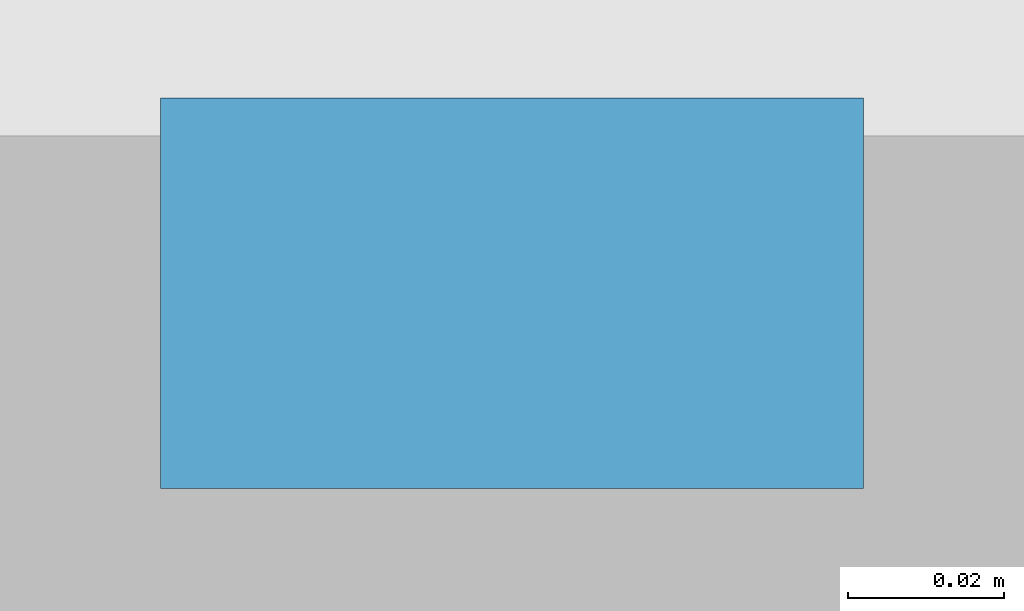
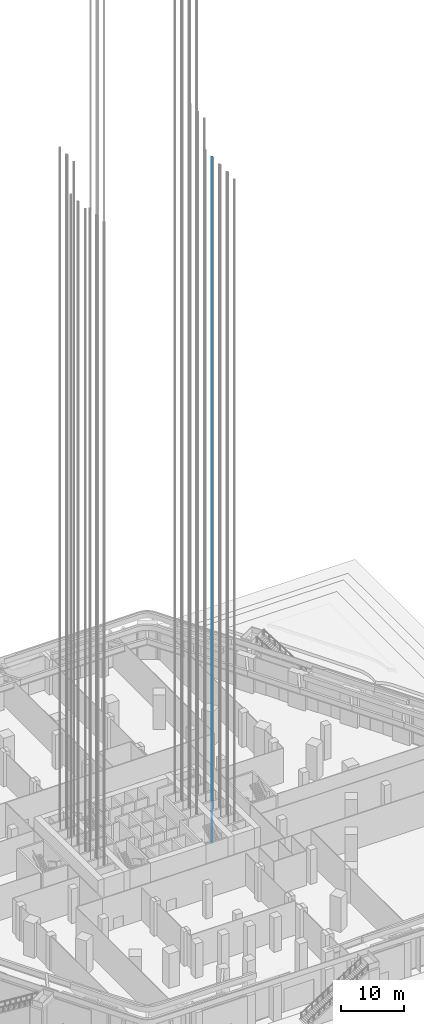
# One storey, part 52 of 68: 1 discrete accessory.
"""IFC4 building model written with IfcOpenShell, lengths in metres."""

import ifcopenshell
import ifcopenshell.guid

model = None  # the IFC model being written
_history = None  # IfcOwnerHistory: only IFC2X3 demands one
_inside = {}  # id of a spatial element -> (the spatial element, [elements in it])
_under = {}  # id of a project, library or spatial element -> (it, [spatial elements below it])
_declared = {}  # id of a project -> (the project, [libraries it declares])
_typed = {}  # id of a type object -> (the type object, [elements of that type])
_made_of = {}  # id of a material, layer set ... -> (it, [elements and type objects made of it])


def new_model(schema):
    """Start an empty IFC model of exactly this schema.

    Asked for "IFC4X3", IfcOpenShell would pick the latest addendum, in which some entities
    have other attributes; the version numbers below select the first issue.
    IFC2X3 requires an IfcOwnerHistory on every rooted entity: one is made here for all.
    """
    global model, _history
    if schema == "IFC4X3":
        model = ifcopenshell.file(schema_version=(4, 3, 0, 0))
    else:
        model = ifcopenshell.file(schema=schema)
    _inside.clear()
    _under.clear()
    _declared.clear()
    _typed.clear()
    _made_of.clear()
    _history = None
    if model.schema == "IFC2X3":
        org = make("IfcOrganization", Name="unknown")
        user = make(
            "IfcPersonAndOrganization",
            ThePerson=make("IfcPerson", FamilyName="unknown"),
            TheOrganization=org,
        )
        app = make(
            "IfcApplication",
            ApplicationDeveloper=org,
            Version="unknown",
            ApplicationFullName="unknown",
            ApplicationIdentifier="unknown",
        )
        _history = make(
            "IfcOwnerHistory",
            OwningUser=user,
            OwningApplication=app,
            ChangeAction="ADDED",
            CreationDate=0,
        )
    return model


def make(cls, **values):
    """One entity of the class cls with the attributes given. An attribute that is None is left unset."""
    return model.create_entity(
        cls, **{name: value for name, value in values.items() if value is not None}
    )


def rooted(cls, **values):
    """An entity with a GlobalId (a new one), such as an element, a storey or a relation."""
    return make(cls, GlobalId=ifcopenshell.guid.new(), OwnerHistory=_history, **values)


def si_unit(unit_type, name, prefix=None):
    """IfcSIUnit, for example si_unit("LENGTHUNIT", "METRE", prefix="MILLI")."""
    return make("IfcSIUnit", UnitType=unit_type, Prefix=prefix, Name=name)


def assignment(units):
    """IfcUnitAssignment: the units of a project."""
    return None if units is None else make("IfcUnitAssignment", Units=units)


def point(xyz):
    """IfcCartesianPoint."""
    return None if xyz is None else make("IfcCartesianPoint", Coordinates=xyz)


def direction(xyz):
    """IfcDirection."""
    return None if xyz is None else make("IfcDirection", DirectionRatios=xyz)


def frame(location, z_axis=None, x_axis=None):
    """IfcAxis2Placement3D, a coordinate frame: its origin and axes. An axis left out is left unset."""
    return make(
        "IfcAxis2Placement3D",
        Location=point(location),
        Axis=direction(z_axis),
        RefDirection=direction(x_axis),
    )


def frame_2d(location, x_axis=None):
    """IfcAxis2Placement2D, a coordinate frame in the plane: its origin and x axis."""
    return make(
        "IfcAxis2Placement2D", Location=point(location), RefDirection=direction(x_axis)
    )


def origin():
    """The frame at (0, 0, 0) with its axes left unset."""
    return frame((0.0, 0.0, 0.0))


def origin_2d():
    """The frame at (0, 0) in the plane with its x axis left unset."""
    return frame_2d((0.0, 0.0))


def place(relative_to, where):
    """IfcLocalPlacement: puts the frame where relative to a parent placement (None: the world)."""
    return make(
        "IfcLocalPlacement", PlacementRelTo=relative_to, RelativePlacement=where
    )


def context(
    kind, dimensions, precision=None, world=None, true_north=None, identifier=None
):
    """IfcGeometricRepresentationContext, for example the 3D "Model" context."""
    return make(
        "IfcGeometricRepresentationContext",
        ContextIdentifier=identifier,
        ContextType=kind,
        CoordinateSpaceDimension=dimensions,
        Precision=precision,
        WorldCoordinateSystem=world,
        TrueNorth=true_north,
    )


def subcontext(parent, identifier, kind, view, scale=None):
    """IfcGeometricRepresentationSubContext, for example "Body" below "Model"."""
    return make(
        "IfcGeometricRepresentationSubContext",
        ContextIdentifier=identifier,
        ContextType=kind,
        ParentContext=parent,
        TargetScale=scale,
        TargetView=view,
    )


def project(units=None, contexts=None):
    """IfcProject with its units and contexts."""
    return rooted(
        "IfcProject",
        Name="project",
        RepresentationContexts=contexts,
        UnitsInContext=assignment(units),
    )


def spatial(cls, under=None, at=None, **own):
    """A site, building, storey or space (cls), placed at a placement, below another one or the project."""
    s = rooted(cls, ObjectPlacement=at, **own)
    if under is not None:
        _under.setdefault(under.id(), (under, []))[1].append(s)
    return s


def profile(cls, at=None, kind="AREA", **sizes):
    """A parametric profile (cls). Its sizes go by their IFC names, for example OverallWidth=200.0."""
    return make(cls, ProfileType=kind, Position=at, **sizes)


def rectangle(**sizes):
    """IfcRectangleProfileDef."""
    return profile("IfcRectangleProfileDef", **sizes)


def extrude(swept, where, along, depth):
    """IfcExtrudedAreaSolid: the profile swept, set in the frame where, extruded along a direction by depth."""
    return make(
        "IfcExtrudedAreaSolid",
        SweptArea=swept,
        Position=where,
        ExtrudedDirection=direction(along),
        Depth=depth,
    )


def shape(context_of_items, identifier, shape_type, items):
    """IfcShapeRepresentation: the items that make up one representation, for example the "Body"."""
    return make(
        "IfcShapeRepresentation",
        ContextOfItems=context_of_items,
        RepresentationIdentifier=identifier,
        RepresentationType=shape_type,
        Items=items,
    )


def made_of(thing, what):
    """Note that an element or type object is made of a material, layer set ...; save() writes the relation."""
    if what is not None:
        _made_of.setdefault(what.id(), (what, []))[1].append(thing)
    return thing


def element(
    cls,
    number,
    at=None,
    inside=None,
    cuts=None,
    type_object=None,
    material=None,
    context=None,
    identifier="Body",
    shape_type=None,
    held_by="IfcProductDefinitionShape",
    body=None,
    shapes=None,
    **own,
):
    """One element of the class cls, such as IfcWall. Its Tag is "e" and its number.

    at: its placement. inside: the storey or other place that contains it. cuts: it is an
    opening in that element (IfcRelVoidsElement). A single representation is given by context,
    identifier, shape_type and body (its items); several are given by shapes. held_by: the class
    of the entity that holds the representations. save() writes the other relations.
    """
    e = rooted(cls, Tag="e%d" % number, ObjectPlacement=at, **own)
    if body is not None:
        shapes = [shape(context, identifier, shape_type, body)]
    if shapes is not None:
        e.Representation = make(held_by, Representations=shapes)
    if inside is not None:
        _inside.setdefault(inside.id(), (inside, []))[1].append(e)
    if cuts is not None:
        rooted(
            "IfcRelVoidsElement", RelatingBuildingElement=cuts, RelatedOpeningElement=e
        )
    if type_object is not None:
        _typed.setdefault(type_object.id(), (type_object, []))[1].append(e)
    return made_of(e, material)


def aggregate(whole, parts):
    """IfcRelAggregates: a whole, such as a stair, and the parts it consists of."""
    return rooted("IfcRelAggregates", RelatingObject=whole, RelatedObjects=parts)


def save(model, path):
    """Write the relations noted so far, then the file.

    IfcRelAggregates (storeys below a building ...), IfcRelContainedInSpatialStructure (elements
    in a storey), IfcRelDefinesByType, IfcRelAssociatesMaterial and IfcRelDeclares: one each for
    every whole, place, type object, material and project.
    """
    for whole, parts in _under.values():
        aggregate(whole, parts)
    for where, things in _inside.values():
        rooted(
            "IfcRelContainedInSpatialStructure",
            RelatedElements=things,
            RelatingStructure=where,
        )
    for kind, things in _typed.values():
        rooted("IfcRelDefinesByType", RelatedObjects=things, RelatingType=kind)
    for what, things in _made_of.values():
        rooted("IfcRelAssociatesMaterial", RelatedObjects=things, RelatingMaterial=what)
    for by, libraries in _declared.values():
        rooted("IfcRelDeclares", RelatingContext=by, RelatedDefinitions=libraries)
    model.write(path)


model = new_model("IFC4")

# Units and contexts
model_context = context("Model", 3, precision=1e-05, world=origin(), true_north=direction((0.0, 1.0)))
body_context = subcontext(model_context, "Body", "Model", "MODEL_VIEW")
ifc_project = project(units=[si_unit("LENGTHUNIT", "METRE"), si_unit("AREAUNIT", "SQUARE_METRE"), si_unit("VOLUMEUNIT", "CUBIC_METRE"), si_unit("PLANEANGLEUNIT", "RADIAN"), si_unit("MASSUNIT", "GRAM", prefix="KILO")], contexts=[model_context])

# Site, building, storey
site_placement = place(None, origin())
site = spatial("IfcSite", under=ifc_project, at=site_placement, CompositionType="ELEMENT")
building_placement = place(site_placement, origin())
building = spatial("IfcBuilding", under=site, at=building_placement, Name="Kolab Exchange Tower", CompositionType="ELEMENT")
storey_placement = place(building_placement, origin())
storey = spatial("IfcBuildingStorey", under=building, at=storey_placement, Name="L00", CompositionType="ELEMENT", Elevation=0.0)

# Discrete accessory
discrete_accessory_placement = place(storey_placement, frame((12.0, 0.1298828125, -1.599853515625), z_axis=(0.0, 0.0, 1.0), x_axis=(1.0, 0.0, 0.0)))
element("IfcDiscreteAccessory", 1, at=discrete_accessory_placement, inside=storey, Name="Guide rail LR4-1", ObjectType="GUIDE RAIL", PredefinedType="USERDEFINED", context=body_context, shape_type="SweptSolid", body=[
    extrude(rectangle(XDim=0.090087890625, YDim=0.050048828125, at=origin_2d()), origin(), (0.0, 0.0, 1.0), 133.39990234375),
])

save(model, "model.ifc")
